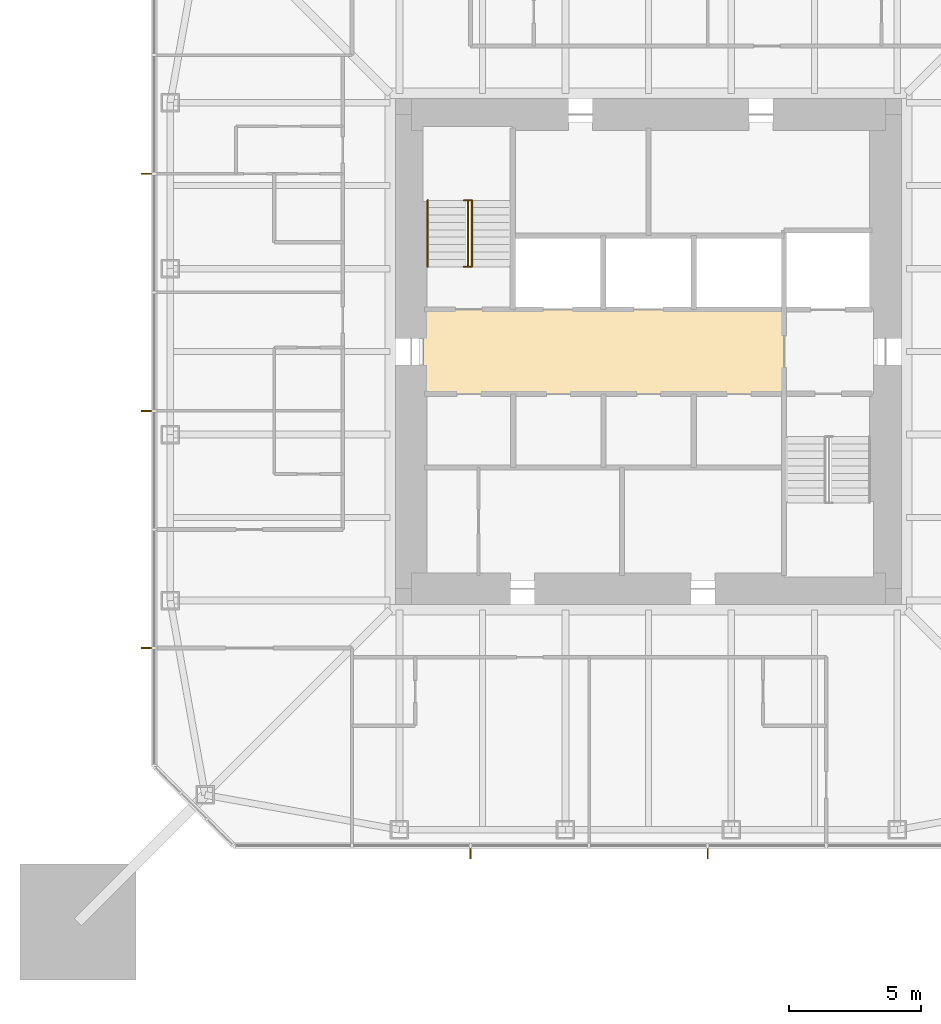
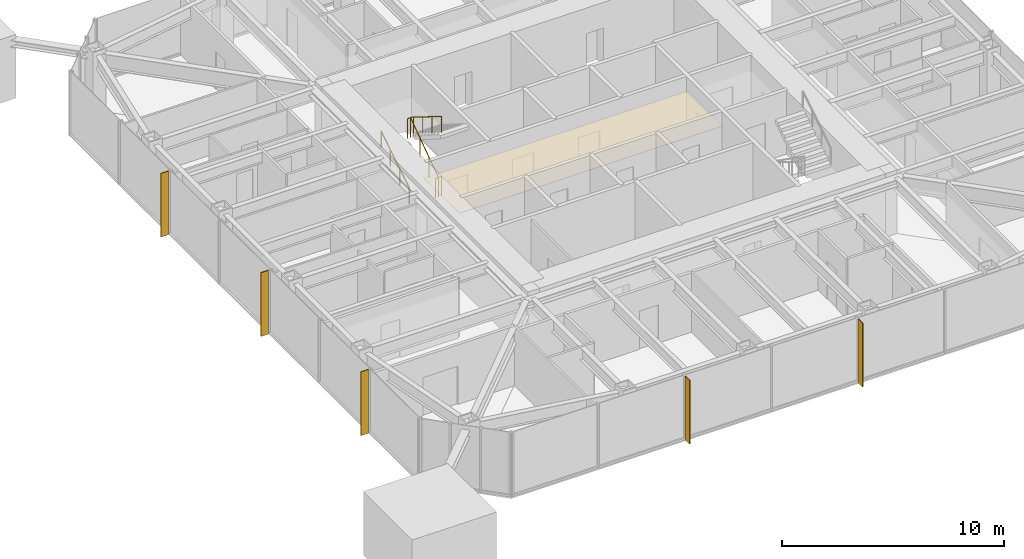
# One storey, part 9 of 11: 5 shading devices, 3 railings, 1 covering.
"""IFC4 building model written with IfcOpenShell, lengths in metres."""

from ifc_helpers import new_model, si_unit, direction, frame, origin, origin_2d, place, context, subcontext, project, spatial, polyline, rectangle, circle, outline, extrude, material, layer, layer_set, constituent, constituent_set, type_object, element, save


model = new_model("IFC4")

# Units and contexts
model_context = context("Model", 3, precision=1e-05, world=origin(), true_north=direction((0.0, 1.0)))
body_context = subcontext(model_context, "Body", "Model", "MODEL_VIEW")
ifc_project = project(units=[si_unit("LENGTHUNIT", "METRE"), si_unit("AREAUNIT", "SQUARE_METRE"), si_unit("VOLUMEUNIT", "CUBIC_METRE"), si_unit("PLANEANGLEUNIT", "RADIAN"), si_unit("MASSUNIT", "GRAM", prefix="KILO")], contexts=[model_context])

# Site, building, storey
site_placement = place(None, origin())
site = spatial("IfcSite", under=ifc_project, at=site_placement, CompositionType="ELEMENT")
building_placement = place(site_placement, origin())
building = spatial("IfcBuilding", under=site, at=building_placement, Name="Iwan Alto Co-Living Towers", CompositionType="ELEMENT")
storey_placement = place(building_placement, frame((0.0, 0.0, 202.0)))
storey = spatial("IfcBuildingStorey", under=building, at=storey_placement, Name="L55", CompositionType="ELEMENT", Elevation=202.0)

# Covering
ifc_material_1 = material(Name="Mineral fibre acoustic tiles on steel grid", Category="steel")
ifc_layer_1 = layer(ifc_material_1, 0.02001953125)
ifc_layer_set_1 = layer_set([ifc_layer_1], Name="ACOUSTIC TILE CEILING 20")
covering_type = type_object("IfcCoveringType", Name="ACOUSTIC TILE CEILING 20", PredefinedType="CEILING", material=ifc_layer_set_1)
covering_placement = place(storey_placement, frame((0.0, 0.0, 2.60009765625)))
element("IfcCovering", 1, at=covering_placement, inside=storey, type_object=covering_type, Name="Ceiling Lift lobby L55", PredefinedType="CEILING", context=body_context, shape_type="SweptSolid", body=[
    extrude(outline(polyline([(-8.550048828125, -1.60009765625), (-8.550048828125, 1.60009765625), (5.14990234375, 1.60009765625), (5.14990234375, -1.60009765625), (-8.550048828125, -1.60009765625)])), origin(), (0.0, 0.0, 1.0), 0.02001953125),
])

# Shading devices
ifc_material_2 = material(Name="Aluminium 6063-T6 bronze anodised", Category="aluminium")
ifc_layer_2 = layer(ifc_material_2, 0.050048828125)
ifc_layer_set_2 = layer_set([ifc_layer_2], Name="BRONZE FIN 50X400")
shading_device_type = type_object("IfcShadingDeviceType", Name="BRONZE FIN 50X400", PredefinedType="USERDEFINED", material=ifc_layer_set_2)
for number, where, z_axis, x_axis, name in (
    (2, (-6.75, -19.050048828125, 0.0), (0.0, 0.0, 1.0), (1.0, 0.0, 0.0), "Bronze fin L55"),
    (3, (2.25, -19.050048828125, 0.0), (0.0, 0.0, 1.0), (1.0, 0.0, 0.0), "Bronze fin L55"),
    (4, (-19.050048828125, 6.75, 0.0), (0.0, 0.0, 1.0), (0.0, -1.0, 0.0), "Bronze fin L55"),
    (5, (-19.050048828125, -2.25, 0.0), (0.0, 0.0, 1.0), (0.0, -1.0, 0.0), "Bronze fin L55"),
    (6, (-19.050048828125, -11.25, 0.0), (0.0, 0.0, 1.0), (0.0, -1.0, 0.0), "Bronze fin L55"),
):
    element("IfcShadingDevice", number, at=place(storey_placement, frame(where, z_axis=z_axis, x_axis=x_axis)), inside=storey, type_object=shading_device_type, Name=name, ObjectType="LOUVER", PredefinedType="USERDEFINED", context=body_context, shape_type="SweptSolid", body=[
        extrude(rectangle(XDim=0.050048828125, YDim=0.39990234375, at=origin_2d()), origin(), (0.0, 0.0, 1.0), 3.5),
    ])

# Railings
ifc_material_3 = material(Name="Steel ASTM A500 Gr C", Category="steel")
ifc_constituent_1 = constituent(ifc_material_3, Name="Rails and posts", Category="Framing")
ifc_material_4 = material(Name="Steel ASTM A36", Category="steel")
ifc_constituent_2 = constituent(ifc_material_4, Name="Bar infill", Category="Infill")
ifc_constituent_set = constituent_set(constituents=[ifc_constituent_1, ifc_constituent_2], Name="STAIR GUARD 1100")
railing_type_1 = type_object("IfcRailingType", Name="STAIR GUARD 1100", PredefinedType="GUARDRAIL", material=ifc_constituent_set)
railing_1_placement = place(storey_placement, frame((-6.85009765625, 3.219970703125, 0.0)))
element("IfcRailing", 7, at=railing_1_placement, inside=storey, type_object=railing_type_1, Name="Stair T1-S1 well guard L55", PredefinedType="GUARDRAIL", context=body_context, shape_type="SweptSolid", body=[
    extrude(circle(Radius=0.02392578125, at=origin_2d()), frame((0.0, 0.0, 1.076171875), z_axis=(0.0, 0.821372036852, 0.570392826987), x_axis=(-1.0, 0.0, 0.0)), (0.0, 0.0, 1.0), 3.068115234375),
    extrude(circle(Radius=0.02392578125, at=origin_2d()), frame((-0.14990234375, 0.0, 1.076171875), z_axis=(1.0, 0.0, 0.0), x_axis=(0.0, 1.0, 0.0)), (0.0, 0.0, 1.0), 0.300048828125),
    extrude(circle(Radius=0.02392578125, at=origin_2d()), frame((-0.14990234375, 2.52001953125, 2.826171875), z_axis=(1.0, 0.0, 0.0), x_axis=(0.0, 1.0, 0.0)), (0.0, 0.0, 1.0), 0.300048828125),
    extrude(circle(Radius=0.02099609375, at=origin_2d()), origin(), (0.0, 0.0, 1.0), 1.052001953125),
    extrude(circle(Radius=0.02099609375, at=origin_2d()), frame((0.0, 0.840087890625, 0.583251953125)), (0.0, 0.0, 1.0), 1.052001953125),
    extrude(circle(Radius=0.02099609375, at=origin_2d()), frame((0.0, 1.679931640625, 1.166748046875)), (0.0, 0.0, 1.0), 1.052001953125),
    extrude(circle(Radius=0.02099609375, at=origin_2d()), frame((0.0, 2.52001953125, 1.75)), (0.0, 0.0, 1.0), 1.052001953125),
    extrude(circle(Radius=0.02099609375, at=origin_2d()), frame((-0.14990234375, 0.0, 0.0)), (0.0, 0.0, 1.0), 1.052001953125),
    extrude(circle(Radius=0.02099609375, at=origin_2d()), frame((0.150146484375, 0.0, 0.0)), (0.0, 0.0, 1.0), 1.052001953125),
    extrude(circle(Radius=0.02099609375, at=origin_2d()), frame((-0.14990234375, 2.52001953125, 1.75)), (0.0, 0.0, 1.0), 1.052001953125),
    extrude(circle(Radius=0.02099609375, at=origin_2d()), frame((0.150146484375, 2.52001953125, 1.75)), (0.0, 0.0, 1.0), 1.052001953125),
])
ifc_material_5 = material(Name="Steel ASTM A500 Gr C", Category="steel")
railing_type_2 = type_object("IfcRailingType", Name="STAIR HANDRAIL 900", PredefinedType="HANDRAIL", material=ifc_material_5)
railing_2_placement = place(storey_placement, frame((-8.3798828125, 3.219970703125, 0.175048828125)))
element("IfcRailing", 8, at=railing_2_placement, inside=storey, type_object=railing_type_2, Name="Stair T1-S1 handrail 1 L55", PredefinedType="HANDRAIL", context=body_context, shape_type="SweptSolid", body=[
    extrude(circle(Radius=0.02392578125, at=origin_2d()), frame((0.0, 0.0, 0.8759765625), z_axis=(0.0, 0.848007534815, 0.529984170421), x_axis=(-1.0, 0.0, 0.0)), (0.0, 0.0, 1.0), 2.9716796875),
    extrude(circle(Radius=0.02099609375, at=origin_2d()), origin(), (0.0, 0.0, 1.0), 0.851806640625),
    extrude(circle(Radius=0.02099609375, at=origin_2d()), frame((0.0, 0.840087890625, 0.52490234375)), (0.0, 0.0, 1.0), 0.851806640625),
    extrude(circle(Radius=0.02099609375, at=origin_2d()), frame((0.0, 1.679931640625, 1.050048828125)), (0.0, 0.0, 1.0), 0.851806640625),
    extrude(circle(Radius=0.02099609375, at=origin_2d()), frame((0.0, 2.52001953125, 1.574951171875)), (0.0, 0.0, 1.0), 0.851806640625),
])
railing_3_placement = place(storey_placement, frame((-6.699951171875, 5.739990234375, 1.925048828125)))
element("IfcRailing", 9, at=railing_3_placement, inside=storey, type_object=railing_type_2, Name="Stair T1-S1 handrail 2 L55", PredefinedType="HANDRAIL", context=body_context, shape_type="SweptSolid", body=[
    extrude(circle(Radius=0.02392578125, at=origin_2d()), frame((0.0, 0.0, 0.8759765625), z_axis=(0.0, -0.848007534815, 0.529984170421), x_axis=(1.0, 0.0, 0.0)), (0.0, 0.0, 1.0), 2.9716796875),
    extrude(circle(Radius=0.02099609375, at=origin_2d()), origin(), (0.0, 0.0, 1.0), 0.851806640625),
    extrude(circle(Radius=0.02099609375, at=origin_2d()), frame((0.0, -0.840087890625, 0.52490234375)), (0.0, 0.0, 1.0), 0.851806640625),
    extrude(circle(Radius=0.02099609375, at=origin_2d()), frame((0.0, -1.679931640625, 1.050048828125)), (0.0, 0.0, 1.0), 0.851806640625),
    extrude(circle(Radius=0.02099609375, at=origin_2d()), frame((0.0, -2.52001953125, 1.574951171875)), (0.0, 0.0, 1.0), 0.851806640625),
])

save(model, "model.ifc")
